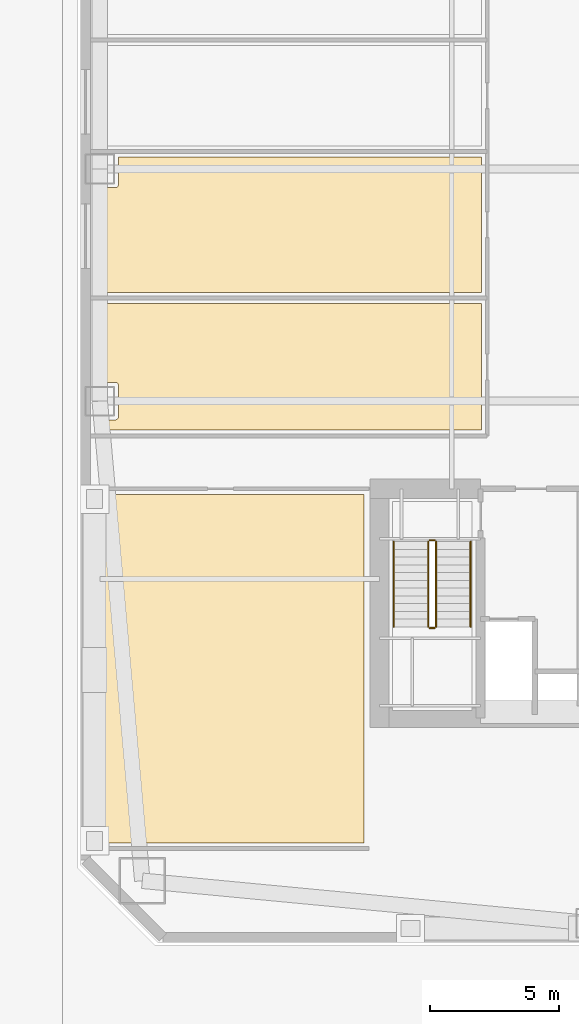
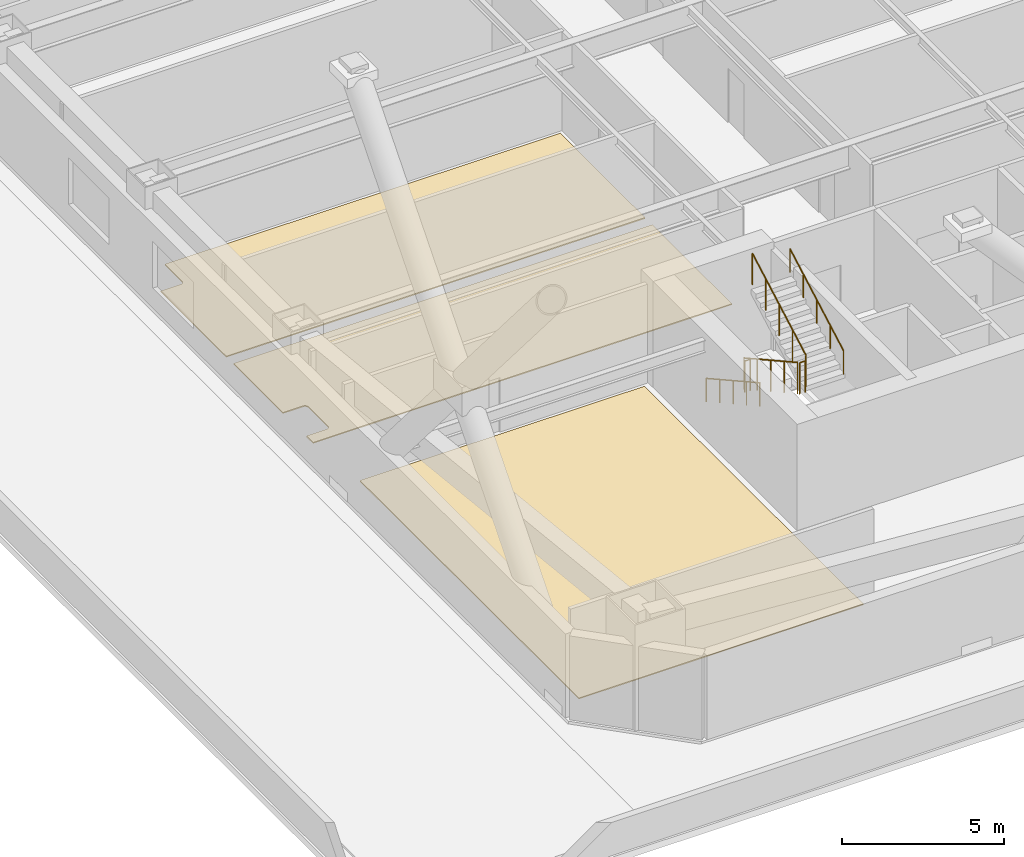
# One storey, part 14 of 20: 6 railings, 3 coverings.
"""IFC4 building model written with IfcOpenShell, lengths in metres."""

from ifc_helpers import new_model, si_unit, direction, frame, origin, origin_2d, place, context, subcontext, project, spatial, polyline, circle, outline, extrude, material, layer, layer_set, type_object, element, save


model = new_model("IFC4")

# Units and contexts
model_context = context("Model", 3, precision=1e-05, world=origin(), true_north=direction((0.0, 1.0)))
body_context = subcontext(model_context, "Body", "Model", "MODEL_VIEW")
ifc_project = project(units=[si_unit("LENGTHUNIT", "METRE"), si_unit("AREAUNIT", "SQUARE_METRE"), si_unit("VOLUMEUNIT", "CUBIC_METRE"), si_unit("PLANEANGLEUNIT", "RADIAN"), si_unit("MASSUNIT", "GRAM", prefix="KILO")], contexts=[model_context])

# Site, building, storey
site_placement = place(None, origin())
site = spatial("IfcSite", under=ifc_project, at=site_placement, CompositionType="ELEMENT")
building_placement = place(site_placement, origin())
building = spatial("IfcBuilding", under=site, at=building_placement, Name="Qiaolan Cultural Towers", CompositionType="ELEMENT")
storey_placement = place(building_placement, frame((0.0, 0.0, 26.0)))
storey = spatial("IfcBuildingStorey", under=building, at=storey_placement, Name="L05", CompositionType="ELEMENT", Elevation=26.0)

# Coverings
ifc_material_1 = material(Name="Honed Terrazzo & Raised Access Flooring", Category="concrete")
ifc_layer = layer(ifc_material_1, 0.0400390625)
ifc_layer_set = layer_set([ifc_layer], Name="Honed Terrazzo & Raised Access Flooring")
covering_type = type_object("IfcCoveringType", Name="COV-FLR-STONE", PredefinedType="FLOORING", material=ifc_layer_set)
covering_1_placement = place(storey_placement, origin())
element("IfcCovering", 1, at=covering_1_placement, inside=storey, type_object=covering_type, Name="L05 Corner Gallery Exhibition Room Finish Flooring", PredefinedType="FLOORING", context=body_context, shape_type="SweptSolid", body=[
    extrude(outline(polyline([(21.199951171875, 7.8701171875), (21.199951171875, 21.3798828125), (11.070068359375, 21.3798828125), (11.070068359375, 7.8701171875), (21.199951171875, 7.8701171875)])), origin(), (0.0, 0.0, 1.0), 0.0400390625),
])
covering_2_placement = place(storey_placement, origin())
element("IfcCovering", 2, at=covering_2_placement, inside=storey, type_object=covering_type, Name="L05 Gallery Exhibition Room Finish Flooring", PredefinedType="FLOORING", context=body_context, shape_type="SweptSolid", body=[
    extrude(outline(polyline([(10.840087890625, 25.72509765625), (11.554931640625, 25.72509765625), (11.566650390625, 25.724365234375), (11.578369140625, 25.72265625), (11.58984375, 25.7197265625), (11.600830078125, 25.7158203125), (11.611572265625, 25.7109375), (11.62158203125, 25.704833984375), (11.631103515625, 25.69775390625), (11.639892578125, 25.68994140625), (11.647705078125, 25.68115234375), (11.65478515625, 25.671630859375), (11.660888671875, 25.66162109375), (11.665771484375, 25.65087890625), (11.669921875, 25.639892578125), (11.672607421875, 25.62841796875), (11.67431640625, 25.61669921875), (11.675048828125, 25.60498046875), (11.675048828125, 24.39501953125), (11.67431640625, 24.38330078125), (11.672607421875, 24.37158203125), (11.669921875, 24.360107421875), (11.665771484375, 24.34912109375), (11.660888671875, 24.33837890625), (11.65478515625, 24.328369140625), (11.647705078125, 24.31884765625), (11.639892578125, 24.31005859375), (11.631103515625, 24.30224609375), (11.62158203125, 24.295166015625), (11.611572265625, 24.2890625), (11.600830078125, 24.2841796875), (11.58984375, 24.2802734375), (11.578369140625, 24.27734375), (11.566650390625, 24.275634765625), (11.554931640625, 24.27490234375), (10.840087890625, 24.27490234375), (10.840087890625, 23.8701171875), (25.7548828125, 23.8701171875), (25.7548828125, 28.780029296875), (10.840087890625, 28.780029296875), (10.840087890625, 25.72509765625)])), origin(), (0.0, 0.0, 1.0), 0.0400390625),
])
covering_3_placement = place(storey_placement, origin())
element("IfcCovering", 3, at=covering_3_placement, inside=storey, type_object=covering_type, Name="L05 Curatorial Office Finish Flooring", PredefinedType="FLOORING", context=body_context, shape_type="SweptSolid", body=[
    extrude(outline(polyline([(11.675048828125, 34.4599609375), (11.675048828125, 33.39501953125), (11.67431640625, 33.38330078125), (11.672607421875, 33.37158203125), (11.669921875, 33.360107421875), (11.665771484375, 33.34912109375), (11.660888671875, 33.33837890625), (11.65478515625, 33.328369140625), (11.647705078125, 33.31884765625), (11.639892578125, 33.31005859375), (11.631103515625, 33.30224609375), (11.62158203125, 33.295166015625), (11.611572265625, 33.2890625), (11.600830078125, 33.2841796875), (11.58984375, 33.2802734375), (11.578369140625, 33.27734375), (11.566650390625, 33.275634765625), (11.554931640625, 33.27490234375), (10.840087890625, 33.27490234375), (10.840087890625, 29.219970703125), (25.7548828125, 29.219970703125), (25.7548828125, 34.4599609375), (11.675048828125, 34.4599609375)])), origin(), (0.0, 0.0, 1.0), 0.0400390625),
])

# Railings
ifc_material_2 = material(Name="Galvanized Painted Steel Stair Guardrail", Category="steel")
railing_type_1 = type_object("IfcRailingType", Name="RL-STAIR-GRD", PredefinedType="GUARDRAIL", material=ifc_material_2)
railing_1_placement = place(storey_placement, frame((23.68994140625, 19.550048828125, 0.166748046875)))
element("IfcRailing", 4, at=railing_1_placement, inside=storey, type_object=railing_type_1, Name="L05 ST-W1 stair guard 1", PredefinedType="GUARDRAIL", context=body_context, shape_type="SweptSolid", body=[
    extrude(circle(Radius=0.02392578125, at=origin_2d()), frame((0.0, 0.0, 1.17578125), z_axis=(0.0, -0.874169478083, 0.485620966999), x_axis=(1.0, 0.0, 0.0)), (0.0, 0.0, 1.0), 3.775146484375),
    extrude(circle(Radius=0.02099609375, at=origin_2d()), origin(), (0.0, 0.0, 1.0), 1.15185546875),
    extrude(circle(Radius=0.02099609375, at=origin_2d()), frame((0.0, -0.824951171875, 0.458251953125)), (0.0, 0.0, 1.0), 1.15185546875),
    extrude(circle(Radius=0.02099609375, at=origin_2d()), frame((0.0, -1.64990234375, 0.91650390625)), (0.0, 0.0, 1.0), 1.15185546875),
    extrude(circle(Radius=0.02099609375, at=origin_2d()), frame((0.0, -2.47509765625, 1.375)), (0.0, 0.0, 1.0), 1.15185546875),
    extrude(circle(Radius=0.02099609375, at=origin_2d()), frame((0.0, -3.300048828125, 1.833251953125)), (0.0, 0.0, 1.0), 1.15185546875),
])
railing_2_placement = place(storey_placement, frame((23.739990234375, 16.199951171875, 2.0)))
element("IfcRailing", 5, at=railing_2_placement, inside=storey, type_object=railing_type_1, Name="L05 ST-W1 stair guard 2", PredefinedType="GUARDRAIL", context=body_context, shape_type="SweptSolid", body=[
    extrude(circle(Radius=0.02392578125, at=origin_2d()), frame((0.0, 0.0, 1.17578125), z_axis=(1.0, 0.0, 0.0), x_axis=(0.0, 1.0, 0.0)), (0.0, 0.0, 1.0), 0.199951171875),
    extrude(circle(Radius=0.02099609375, at=origin_2d()), origin(), (0.0, 0.0, 1.0), 1.15185546875),
    extrude(circle(Radius=0.02099609375, at=origin_2d()), frame((0.199951171875, 0.0, 0.0)), (0.0, 0.0, 1.0), 1.15185546875),
])
railing_3_placement = place(storey_placement, frame((23.989990234375, 16.25, 2.166748046875)))
element("IfcRailing", 6, at=railing_3_placement, inside=storey, type_object=railing_type_1, Name="L05 ST-W1 stair guard 3", PredefinedType="GUARDRAIL", context=body_context, shape_type="SweptSolid", body=[
    extrude(circle(Radius=0.02392578125, at=origin_2d()), frame((0.0, 0.0, 1.17578125), z_axis=(0.0, 0.874169478083, 0.485620966999), x_axis=(-1.0, 0.0, 0.0)), (0.0, 0.0, 1.0), 3.775146484375),
    extrude(circle(Radius=0.02099609375, at=origin_2d()), origin(), (0.0, 0.0, 1.0), 1.15185546875),
    extrude(circle(Radius=0.02099609375, at=origin_2d()), frame((0.0, 0.824951171875, 0.458251953125)), (0.0, 0.0, 1.0), 1.15185546875),
    extrude(circle(Radius=0.02099609375, at=origin_2d()), frame((0.0, 1.64990234375, 0.91650390625)), (0.0, 0.0, 1.0), 1.15185546875),
    extrude(circle(Radius=0.02099609375, at=origin_2d()), frame((0.0, 2.47509765625, 1.375)), (0.0, 0.0, 1.0), 1.15185546875),
    extrude(circle(Radius=0.02099609375, at=origin_2d()), frame((0.0, 3.300048828125, 1.833251953125)), (0.0, 0.0, 1.0), 1.15185546875),
])
railing_4_placement = place(storey_placement, frame((23.739990234375, 19.60009765625, 0.0)))
element("IfcRailing", 7, at=railing_4_placement, inside=storey, type_object=railing_type_1, Name="L05 ST-W1 stair guard 4", PredefinedType="GUARDRAIL", context=body_context, shape_type="SweptSolid", body=[
    extrude(circle(Radius=0.02392578125, at=origin_2d()), frame((0.0, 0.0, 1.17578125), z_axis=(1.0, 0.0, 0.0), x_axis=(0.0, 1.0, 0.0)), (0.0, 0.0, 1.0), 0.199951171875),
    extrude(circle(Radius=0.02099609375, at=origin_2d()), origin(), (0.0, 0.0, 1.0), 1.15185546875),
    extrude(circle(Radius=0.02099609375, at=origin_2d()), frame((0.199951171875, 0.0, 0.0)), (0.0, 0.0, 1.0), 1.15185546875),
])
ifc_material_3 = material(Name="Stainless Steel S30408 Tubular Handrail", Category="steel")
railing_type_2 = type_object("IfcRailingType", Name="RL-STAIR-HR", PredefinedType="HANDRAIL", material=ifc_material_3)
railing_5_placement = place(storey_placement, frame((22.35009765625, 19.550048828125, 0.166748046875)))
element("IfcRailing", 8, at=railing_5_placement, inside=storey, type_object=railing_type_2, Name="L05 ST-W1 stair handrail 1", PredefinedType="HANDRAIL", context=body_context, shape_type="SweptSolid", body=[
    extrude(circle(Radius=0.02392578125, at=origin_2d()), frame((0.0, 0.0, 0.8759765625), z_axis=(0.0, -0.874169478083, 0.485620966999), x_axis=(1.0, 0.0, 0.0)), (0.0, 0.0, 1.0), 3.775146484375),
    extrude(circle(Radius=0.02099609375, at=origin_2d()), origin(), (0.0, 0.0, 1.0), 0.851806640625),
    extrude(circle(Radius=0.02099609375, at=origin_2d()), frame((0.0, -0.824951171875, 0.458251953125)), (0.0, 0.0, 1.0), 0.851806640625),
    extrude(circle(Radius=0.02099609375, at=origin_2d()), frame((0.0, -1.64990234375, 0.91650390625)), (0.0, 0.0, 1.0), 0.851806640625),
    extrude(circle(Radius=0.02099609375, at=origin_2d()), frame((0.0, -2.47509765625, 1.375)), (0.0, 0.0, 1.0), 0.851806640625),
    extrude(circle(Radius=0.02099609375, at=origin_2d()), frame((0.0, -3.300048828125, 1.833251953125)), (0.0, 0.0, 1.0), 0.851806640625),
])
railing_6_placement = place(storey_placement, frame((25.330078125, 16.25, 2.166748046875)))
element("IfcRailing", 9, at=railing_6_placement, inside=storey, type_object=railing_type_2, Name="L05 ST-W1 stair handrail 2", PredefinedType="HANDRAIL", context=body_context, shape_type="SweptSolid", body=[
    extrude(circle(Radius=0.02392578125, at=origin_2d()), frame((0.0, 0.0, 0.8759765625), z_axis=(0.0, 0.874169478083, 0.485620966999), x_axis=(-1.0, 0.0, 0.0)), (0.0, 0.0, 1.0), 3.775146484375),
    extrude(circle(Radius=0.02099609375, at=origin_2d()), origin(), (0.0, 0.0, 1.0), 0.851806640625),
    extrude(circle(Radius=0.02099609375, at=origin_2d()), frame((0.0, 0.824951171875, 0.458251953125)), (0.0, 0.0, 1.0), 0.851806640625),
    extrude(circle(Radius=0.02099609375, at=origin_2d()), frame((0.0, 1.64990234375, 0.91650390625)), (0.0, 0.0, 1.0), 0.851806640625),
    extrude(circle(Radius=0.02099609375, at=origin_2d()), frame((0.0, 2.47509765625, 1.375)), (0.0, 0.0, 1.0), 0.851806640625),
    extrude(circle(Radius=0.02099609375, at=origin_2d()), frame((0.0, 3.300048828125, 1.833251953125)), (0.0, 0.0, 1.0), 0.851806640625),
])

save(model, "model.ifc")
